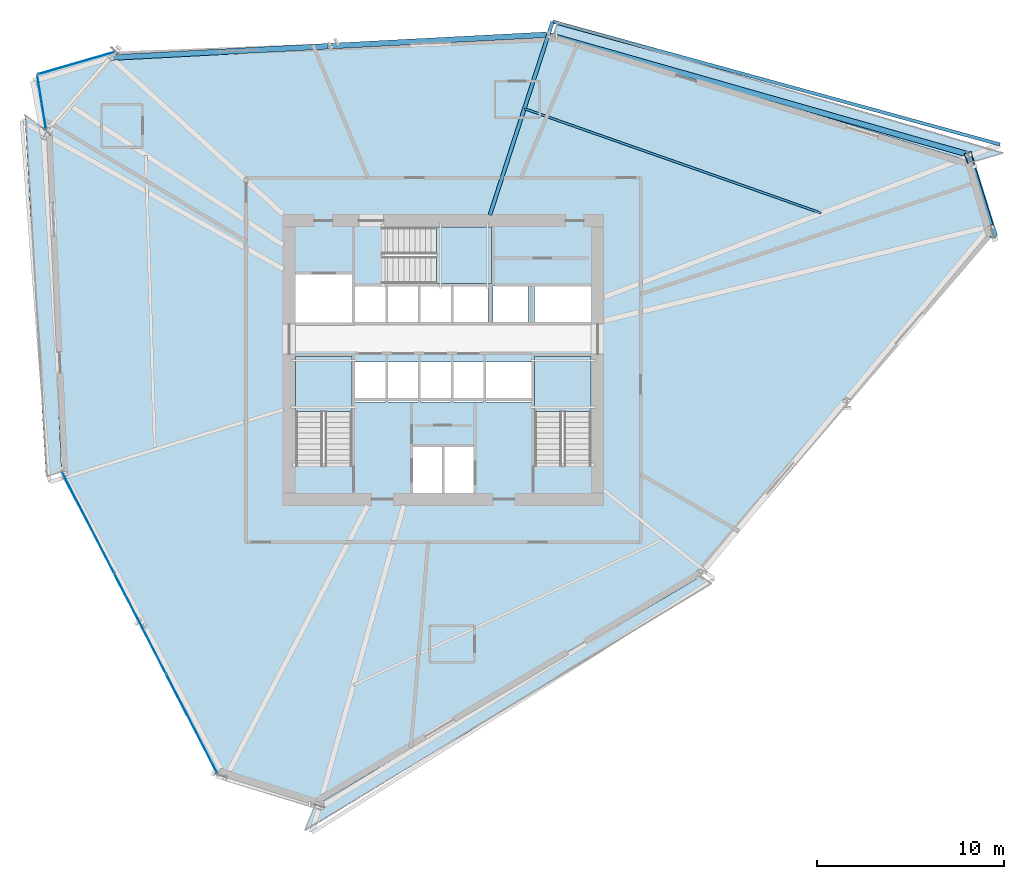
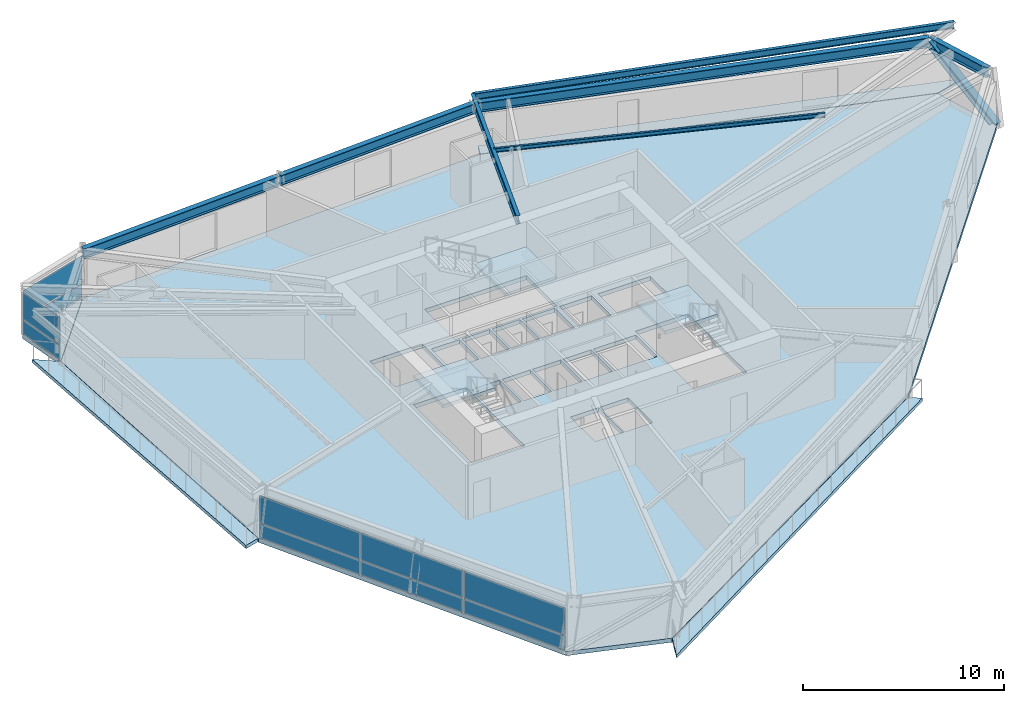
# One storey, part 8 of 19: 10 plates, 8 slabs, 7 beams, 1 member, 6 elements without a shape of their own.
"""IFC4 building model written with IfcOpenShell, lengths in metres."""

from ifc_helpers import new_model, si_unit, direction, frame, origin, origin_2d, place, context, subcontext, project, spatial, polyline, rectangle, i_section, outline, extrude, source, transform, mapped, material, layer, layer_set, material_profile, profile_set, type_object, element, aggregate, save


model = new_model("IFC4")

# Units and contexts
model_context = context("Model", 3, precision=1e-05, world=origin(), true_north=direction((0.0, 1.0)))
body_context = subcontext(model_context, "Body", "Model", "MODEL_VIEW")
ifc_project = project(units=[si_unit("LENGTHUNIT", "METRE"), si_unit("AREAUNIT", "SQUARE_METRE"), si_unit("VOLUMEUNIT", "CUBIC_METRE"), si_unit("PLANEANGLEUNIT", "RADIAN"), si_unit("MASSUNIT", "GRAM", prefix="KILO")], contexts=[model_context])

# Site, building, storey
site_placement = place(None, origin())
site = spatial("IfcSite", under=ifc_project, at=site_placement, CompositionType="ELEMENT")
building_placement = place(site_placement, origin())
building = spatial("IfcBuilding", under=site, at=building_placement, Name="Olszyna Solenne Hotel", CompositionType="ELEMENT")
storey_placement = place(building_placement, frame((0.0, 0.0, 102.14990234375)))
storey = spatial("IfcBuildingStorey", under=building, at=storey_placement, Name="L26", CompositionType="ELEMENT", Elevation=102.14990234375)

# Beams
ifc_material_1 = material(Name="Steel S355J2", Category="steel")
ifc_material_profile_1 = material_profile(ifc_material_1, i_section(OverallWidth=0.300048828125, OverallDepth=0.60009765625, WebThickness=0.015380859375, FlangeThickness=0.030029296875, at=origin_2d()), Name="HEB 600", Category="load-bearing")
ifc_profile_set_1 = profile_set([ifc_material_profile_1], Name="Steel S355J2")
beam_type_1 = type_object("IfcBeamType", Name="BM-S2", PredefinedType="BEAM", material=ifc_profile_set_1)
shared_shape_1 = source(origin(), body_context, "Body", "SweptSolid", [
    extrude(i_section(OverallWidth=0.300048828125, OverallDepth=0.60009765625, WebThickness=0.015380859375, FlangeThickness=0.030029296875, at=origin_2d()), origin(), (0.0, 0.0, 1.0), 3.8984375),
])
beam_1_placement = place(storey_placement, frame((67.237548828125, 33.80908203125, 3.0), z_axis=(-0.296584362615, 0.955006657491, 0.0), x_axis=(-0.955006657491, -0.296584362615, 0.0)))
element("IfcBeam", 1, at=beam_1_placement, inside=storey, type_object=beam_type_1, Name="Perimeter spandrel beam BM-S2 B-L26-0780", PredefinedType="BEAM", context=body_context, shape_type="MappedRepresentation", body=[
    mapped(shared_shape_1, transform((0.0, 0.0, 0.0), x_axis=(1.0, 0.0, 0.0), y_axis=(0.0, 1.0, 0.0), z_axis=(0.0, 0.0, 1.0), scale=1.0)),
])
shared_shape_2 = source(origin(), body_context, "Body", "SweptSolid", [
    extrude(i_section(OverallWidth=0.300048828125, OverallDepth=0.60009765625, WebThickness=0.015380859375, FlangeThickness=0.030029296875, at=origin_2d()), origin(), (0.0, 0.0, 1.0), 23.2646484375),
])
beam_2_placement = place(storey_placement, frame((66.005859375, 37.60595703125, 3.0), z_axis=(-0.961735917266, 0.273978147742, 0.0), x_axis=(-0.273978147742, -0.961735917266, 0.0)))
element("IfcBeam", 2, at=beam_2_placement, inside=storey, type_object=beam_type_1, Name="Perimeter spandrel beam BM-S2 B-L26-0781", PredefinedType="BEAM", context=body_context, shape_type="MappedRepresentation", body=[
    mapped(shared_shape_2, transform((0.0, 0.0, 0.0), x_axis=(1.0, 0.0, 0.0), y_axis=(0.0, 1.0, 0.0), z_axis=(0.0, 0.0, 1.0), scale=1.0)),
])
shared_shape_3 = source(origin(), body_context, "Body", "SweptSolid", [
    extrude(i_section(OverallWidth=0.300048828125, OverallDepth=0.60009765625, WebThickness=0.015380859375, FlangeThickness=0.030029296875, at=origin_2d()), origin(), (0.0, 0.0, 1.0), 11.572265625),
])
for number, where, z_axis, x_axis, name in (
    (3, (43.513671875, 43.993408203125, 3.0), (-0.998621498455, -0.052489073374, 0.0), (0.052489073374, -0.998621498455, 0.0), "Perimeter spandrel beam BM-S2 B-L26-0782"),
    (4, (31.83740234375, 43.379638671875, 3.0), (-0.998621498455, -0.052489073374, 0.0), (0.052489073374, -0.998621498455, 0.0), "Perimeter spandrel beam BM-S2 B-L26-0783"),
):
    element("IfcBeam", number, at=place(storey_placement, frame(where, z_axis=z_axis, x_axis=x_axis)), inside=storey, type_object=beam_type_1, Name=name, PredefinedType="BEAM", context=body_context, shape_type="MappedRepresentation", body=[
        mapped(shared_shape_3, transform((0.0, 0.0, 0.0), x_axis=(1.0, 0.0, 0.0), y_axis=(0.0, 1.0, 0.0), z_axis=(0.0, 0.0, 1.0), scale=1.0)),
    ])
ifc_material_profile_2 = material_profile(ifc_material_1, i_section(OverallWidth=0.199951171875, OverallDepth=0.5, WebThickness=0.01025390625, FlangeThickness=0.01611328125, at=origin_2d()), Name="IPE 500", Category="load-bearing")
ifc_profile_set_2 = profile_set([ifc_material_profile_2], Name="Steel S355J2")
beam_type_2 = type_object("IfcBeamType", Name="BM-F3", PredefinedType="BEAM", material=ifc_profile_set_2)
shared_shape_4 = source(origin(), body_context, "Body", "SweptSolid", [
    extrude(i_section(OverallWidth=0.199951171875, OverallDepth=0.5, WebThickness=0.01025390625, FlangeThickness=0.01611328125, at=origin_2d()), origin(), (0.0, 0.0, 1.0), 10.852783203125),
])
beam_3_placement = place(storey_placement, frame((43.831787109375, 44.67578125, 3.050048828125), z_axis=(-0.308483243058, -0.951229777053, 0.0), x_axis=(0.951229777053, -0.308483243058, 0.0)))
element("IfcBeam", 5, at=beam_3_placement, inside=storey, type_object=beam_type_2, Name="Radial floor girder BM-F3 B-L26-0794", PredefinedType="BEAM", context=body_context, shape_type="MappedRepresentation", body=[
    mapped(shared_shape_4, transform((0.0, 0.0, 0.0), x_axis=(1.0, 0.0, 0.0), y_axis=(0.0, 1.0, 0.0), z_axis=(0.0, 0.0, 1.0), scale=1.0)),
])
ifc_material_profile_3 = material_profile(ifc_material_1, i_section(OverallWidth=0.1201171875, OverallDepth=0.239990234375, WebThickness=0.006103515625, FlangeThickness=0.009765625, at=origin_2d()), Name="IPE 240", Category="load-bearing")
ifc_profile_set_3 = profile_set([ifc_material_profile_3], Name="Steel S355J2")
beam_type_3 = type_object("IfcBeamType", Name="JS-03", PredefinedType="JOIST", material=ifc_profile_set_3)
shared_shape_5 = source(origin(), body_context, "Body", "SweptSolid", [
    extrude(i_section(OverallWidth=0.1201171875, OverallDepth=0.239990234375, WebThickness=0.006103515625, FlangeThickness=0.009765625, at=origin_2d()), origin(), (0.0, 0.0, 1.0), 16.8056640625),
])
beam_4_placement = place(storey_placement, frame((58.19921875, 34.452880859375, 3.18017578125), z_axis=(-0.943241364263, 0.332108007646, 0.0), x_axis=(-0.332108007646, -0.943241364263, 0.0)))
element("IfcBeam", 6, at=beam_4_placement, inside=storey, type_object=beam_type_3, Name="Secondary composite floor joist JS-03 B-L26-0804", PredefinedType="JOIST", context=body_context, shape_type="MappedRepresentation", body=[
    mapped(shared_shape_5, transform((0.0, 0.0, 0.0), x_axis=(1.0, 0.0, 0.0), y_axis=(0.0, 1.0, 0.0), z_axis=(0.0, 0.0, 1.0), scale=1.0)),
])
ifc_material_profile_4 = material_profile(ifc_material_1, i_section(OverallWidth=0.179931640625, OverallDepth=0.39990234375, WebThickness=0.008544921875, FlangeThickness=0.013427734375, at=origin_2d()), Name="IPE 400", Category="load-bearing")
ifc_profile_set_4 = profile_set([ifc_material_profile_4], Name="Steel S355J2")
beam_type_4 = type_object("IfcBeamType", Name="BM-F5", PredefinedType="BEAM", material=ifc_profile_set_4)
shared_shape_6 = source(origin(), body_context, "Body", "SweptSolid", [
    extrude(i_section(OverallWidth=0.179931640625, OverallDepth=0.39990234375, WebThickness=0.008544921875, FlangeThickness=0.013427734375, at=origin_2d()), origin(), (0.0, 0.0, 1.0), 24.8095703125),
])
beam_5_placement = place(storey_placement, frame((67.761962890625, 38.125732421875, 3.10009765625), z_axis=(-0.9643111726, 0.26477152868, 0.0), x_axis=(-0.26477152868, -0.9643111726, 0.0)))
element("IfcBeam", 7, at=beam_5_placement, inside=storey, type_object=beam_type_4, Name="Loggia outer edge beam BM-F5 B-L26-0807", PredefinedType="BEAM", context=body_context, shape_type="MappedRepresentation", body=[
    mapped(shared_shape_6, transform((0.0, 0.0, 0.0), x_axis=(1.0, 0.0, 0.0), y_axis=(0.0, 1.0, 0.0), z_axis=(0.0, 0.0, 1.0), scale=1.0)),
])

# Member
ifc_material_2 = material(Name="Steel S460M", Category="steel")
ifc_material_profile_5 = material_profile(ifc_material_2, i_section(OverallWidth=0.406005859375, OverallDepth=0.416015625, WebThickness=0.026611328125, FlangeThickness=0.04150390625, at=origin_2d()), Name="HD 400x382", Category="load-bearing")
ifc_profile_set_5 = profile_set([ifc_material_profile_5], Name="Steel S460M")
member_type = type_object("IfcMemberType", Name="BR-T2", PredefinedType="BRACE", material=ifc_profile_set_5)
shared_shape_7 = source(origin(), body_context, "Body", "SweptSolid", [
    extrude(i_section(OverallWidth=0.406005859375, OverallDepth=0.416015625, WebThickness=0.026611328125, FlangeThickness=0.04150390625, at=origin_2d()), origin(), (0.0, 0.0, 1.0), 5.394775390625),
])
member_placement = place(storey_placement, frame((67.411865234375, 33.285888671875, 0.010009765625), z_axis=(-0.249946469603, 0.797765049096, 0.548723690736), x_axis=(-0.954260104186, -0.298977680702, 0.0)))
element("IfcMember", 8, at=member_placement, inside=storey, type_object=member_type, Name="Perimeter braced-tube diagonal BR-T2 BR-L26-1", PredefinedType="BRACE", context=body_context, shape_type="MappedRepresentation", body=[
    mapped(shared_shape_7, transform((0.0, 0.0, 0.0), x_axis=(1.0, 0.0, 0.0), y_axis=(0.0, 1.0, 0.0), z_axis=(0.0, 0.0, 1.0), scale=1.0)),
])

# Stair, slab
ifc_material_3 = material(Name="Concrete C40/50", Category="concrete")
stair_type = type_object("IfcStairType", Name="STR-C1", PredefinedType="TWO_QUARTER_WINDING_STAIR", material=ifc_material_3)
stair_1_placement = place(storey_placement, origin())
stair_1 = element("IfcStair", 9, at=stair_1_placement, inside=storey, type_object=stair_type, Name="L26 ST1", PredefinedType="TWO_QUARTER_WINDING_STAIR")
ifc_layer_1 = layer(ifc_material_3, 0.18994140625, Name="Concrete C40/50")
ifc_layer_set_1 = layer_set([ifc_layer_1], Name="Concrete C40/50")
slab_type_1 = type_object("IfcSlabType", Name="SL-LN190", PredefinedType="LANDING", material=ifc_layer_set_1)
slab_1_placement = place(storey_placement, frame((0.0, 0.0, 1.5751953125)))
slab_1 = element("IfcSlab", 10, at=slab_1_placement, type_object=slab_type_1, Name="ST1 landing 1", PredefinedType="LANDING", context=body_context, shape_type="SweptSolid", body=[
    extrude(outline(polyline([(33.1201171875, 23.85009765625), (33.1201171875, 26.800048828125), (30.10009765625, 26.800048828125), (30.10009765625, 23.85009765625), (33.1201171875, 23.85009765625)])), origin(), (0.0, 0.0, 1.0), 0.199951171875),
])
aggregate(stair_1, [slab_1])

stair_2_placement = place(storey_placement, origin())
stair_2 = element("IfcStair", 11, at=stair_2_placement, inside=storey, type_object=stair_type, Name="L26 ST2", PredefinedType="TWO_QUARTER_WINDING_STAIR")
slab_2_placement = place(storey_placement, frame((0.0, 0.0, 1.5751953125)))
slab_2 = element("IfcSlab", 12, at=slab_2_placement, type_object=slab_type_1, Name="ST2 landing 1", PredefinedType="LANDING", context=body_context, shape_type="SweptSolid", body=[
    extrude(outline(polyline([(45.89990234375, 23.85009765625), (45.89990234375, 26.800048828125), (42.8798828125, 26.800048828125), (42.8798828125, 23.85009765625), (45.89990234375, 23.85009765625)])), origin(), (0.0, 0.0, 1.0), 0.199951171875),
])
aggregate(stair_2, [slab_2])

stair_3_placement = place(storey_placement, origin())
stair_3 = element("IfcStair", 13, at=stair_3_placement, inside=storey, type_object=stair_type, Name="L26 ST3", PredefinedType="TWO_QUARTER_WINDING_STAIR")
slab_3_placement = place(storey_placement, frame((0.0, 0.0, 1.5751953125)))
slab_3 = element("IfcSlab", 14, at=slab_3_placement, type_object=slab_type_1, Name="ST3 landing 1", PredefinedType="LANDING", context=body_context, shape_type="SweptSolid", body=[
    extrude(outline(polyline([(37.6298828125, 30.679931640625), (40.580078125, 30.679931640625), (40.580078125, 33.699951171875), (37.6298828125, 33.699951171875), (37.6298828125, 30.679931640625)])), origin(), (0.0, 0.0, 1.0), 0.199951171875),
])
aggregate(stair_3, [slab_3])

# Slabs
ifc_material_4 = material(Name="Precast concrete C45/55", Category="concrete")
ifc_layer_2 = layer(ifc_material_4, 0.199951171875, Name="Precast concrete C45/55")
ifc_layer_set_2 = layer_set([ifc_layer_2], Name="Precast concrete C45/55")
slab_type_2 = type_object("IfcSlabType", Name="SL-LOG200", PredefinedType="FLOOR", material=ifc_layer_set_2)
slab_4_placement = place(storey_placement, frame((0.0, 0.0, -0.199951171875)))
element("IfcSlab", 15, at=slab_4_placement, inside=storey, type_object=slab_type_2, Name="Exterior loggia balcony slab SL-L26-LG1", PredefinedType="FLOOR", context=body_context, shape_type="SweptSolid", body=[
    extrude(outline(polyline([(43.87158203125, 44.0048828125), (66.274169921875, 37.193115234375), (66.275390625, 37.1923828125), (66.27685546875, 37.19189453125), (66.278076171875, 37.19091796875), (66.279296875, 37.190185546875), (66.280517578125, 37.189208984375), (66.28125, 37.18798828125), (66.2822265625, 37.18701171875), (66.282958984375, 37.185546875), (66.28369140625, 37.18408203125), (66.2841796875, 37.182861328125), (67.976318359375, 37.68798828125), (44.1416015625, 44.68505859375), (43.87158203125, 44.0048828125)])), origin(), (0.0, 0.0, 1.0), 0.199951171875),
])
slab_5_placement = place(storey_placement, frame((0.0, 0.0, -0.199951171875)))
element("IfcSlab", 16, at=slab_5_placement, inside=storey, type_object=slab_type_2, Name="Exterior loggia balcony slab SL-L26-LG2", PredefinedType="FLOOR", context=body_context, shape_type="SweptSolid", body=[
    extrude(outline(polyline([(17.587890625, 20.625), (17.587890625, 20.62548828125), (17.587646484375, 20.626953125), (17.58740234375, 20.628662109375), (16.749267578125, 38.8515625), (16.746826171875, 38.8662109375), (15.608154296875, 39.7314453125), (16.7490234375, 20.37451171875), (17.587890625, 20.625)])), origin(), (0.0, 0.0, 1.0), 0.199951171875),
])
slab_6_placement = place(storey_placement, frame((0.0, 0.0, -0.199951171875)))
element("IfcSlab", 17, at=slab_6_placement, inside=storey, type_object=slab_type_2, Name="Exterior loggia balcony slab SL-L26-LG3", PredefinedType="FLOOR", context=body_context, shape_type="SweptSolid", body=[
    extrude(outline(polyline([(51.78515625, 15.047119140625), (51.78466796875, 15.04638671875), (51.783447265625, 15.04541015625), (51.7822265625, 15.044189453125), (51.781005859375, 15.04345703125), (31.1337890625, 2.772216796875), (31.132568359375, 2.771484375), (31.13134765625, 2.77099609375), (31.1298828125, 2.7705078125), (31.128662109375, 2.770263671875), (31.127197265625, 2.77001953125), (31.125732421875, 2.77001953125), (31.12451171875, 2.770263671875), (31.123046875, 2.7705078125), (31.12158203125, 2.770751953125), (31.12060546875, 2.77099609375), (30.57568359375, 1.397216796875), (52.35107421875, 14.6171875), (51.78515625, 15.047119140625)])), origin(), (0.0, 0.0, 1.0), 0.199951171875),
])
ifc_material_5 = material(Name="Concrete C50/60", Category="concrete")
ifc_layer_3 = layer(ifc_material_5, 0.25, Name="Concrete C50/60")
ifc_layer_set_3 = layer_set([ifc_layer_3], Name="Concrete C50/60")
slab_type_3 = type_object("IfcSlabType", Name="SL-TW250", PredefinedType="FLOOR", material=ifc_layer_set_3)
slab_7_placement = place(storey_placement, frame((0.0, 0.0, -0.25)))
element("IfcSlab", 18, at=slab_7_placement, inside=storey, type_object=slab_type_3, Name="Floor slab SL-TW250 SL-L26-01", PredefinedType="FLOOR", context=body_context, shape_type="SweptSolid", body=[
    extrude(outline(polyline([(67.411865234375, 33.285888671875), (66.269775390625, 37.1787109375), (43.8662109375, 43.990966796875), (20.46728515625, 43.083740234375), (16.76416015625, 38.85302734375), (17.602294921875, 20.62939453125), (25.960693359375, 4.413818359375), (31.126220703125, 2.78515625), (51.773193359375, 15.056396484375), (67.411865234375, 33.285888671875)]), holes=[polyline([(30.10009765625, 20.949951171875), (33.1201171875, 20.949951171875), (33.1201171875, 26.800048828125), (30.10009765625, 26.800048828125), (30.10009765625, 20.949951171875)]), polyline([(42.8798828125, 20.949951171875), (45.89990234375, 20.949951171875), (45.89990234375, 26.800048828125), (42.8798828125, 26.800048828125), (42.8798828125, 20.949951171875)]), polyline([(34.72998046875, 30.679931640625), (40.580078125, 30.679931640625), (40.580078125, 33.699951171875), (34.72998046875, 33.699951171875), (34.72998046875, 30.679931640625)]), polyline([(36.340087890625, 19.5), (37.9599609375, 19.5), (37.9599609375, 21.9599609375), (36.340087890625, 21.9599609375), (36.340087890625, 19.5)]), polyline([(38.0400390625, 19.5), (39.659912109375, 19.5), (39.659912109375, 21.9599609375), (38.0400390625, 21.9599609375), (38.0400390625, 19.5)]), polyline([(30.10009765625, 28.60009765625), (33.1201171875, 28.60009765625), (33.1201171875, 31.159912109375), (30.10009765625, 31.159912109375), (30.10009765625, 28.60009765625)]), polyline([(33.280029296875, 24.360107421875), (34.89990234375, 24.360107421875), (34.89990234375, 26.5), (33.280029296875, 26.5), (33.280029296875, 24.360107421875)]), polyline([(35.030029296875, 24.360107421875), (36.64990234375, 24.360107421875), (36.64990234375, 26.5), (35.030029296875, 26.5), (35.030029296875, 24.360107421875)]), polyline([(36.780029296875, 24.360107421875), (38.39990234375, 24.360107421875), (38.39990234375, 26.5), (36.780029296875, 26.5), (36.780029296875, 24.360107421875)]), polyline([(38.530029296875, 24.360107421875), (40.14990234375, 24.360107421875), (40.14990234375, 26.5), (38.530029296875, 26.5), (38.530029296875, 24.360107421875)]), polyline([(40.280029296875, 24.360107421875), (42.719970703125, 24.360107421875), (42.719970703125, 26.5), (40.280029296875, 26.5), (40.280029296875, 24.360107421875)]), polyline([(33.280029296875, 28.60009765625), (34.89990234375, 28.60009765625), (34.89990234375, 30.550048828125), (33.280029296875, 30.550048828125), (33.280029296875, 28.60009765625)]), polyline([(35.030029296875, 28.60009765625), (36.64990234375, 28.60009765625), (36.64990234375, 30.550048828125), (35.030029296875, 30.550048828125), (35.030029296875, 28.60009765625)]), polyline([(36.780029296875, 28.60009765625), (38.39990234375, 28.60009765625), (38.39990234375, 30.550048828125), (36.780029296875, 30.550048828125), (36.780029296875, 28.60009765625)]), polyline([(38.530029296875, 28.60009765625), (40.389892578125, 28.60009765625), (40.389892578125, 30.550048828125), (38.530029296875, 30.550048828125), (38.530029296875, 28.60009765625)]), polyline([(40.659912109375, 28.60009765625), (42.52001953125, 28.60009765625), (42.52001953125, 30.550048828125), (40.659912109375, 30.550048828125), (40.659912109375, 28.60009765625)]), polyline([(42.8798828125, 28.60009765625), (45.89990234375, 28.60009765625), (45.89990234375, 30.550048828125), (42.8798828125, 30.550048828125), (42.8798828125, 28.60009765625)])]), origin(), (0.0, 0.0, 1.0), 0.25),
])
slab_8_placement = place(storey_placement, frame((0.0, 0.0, -0.25)))
element("IfcSlab", 19, at=slab_8_placement, inside=storey, type_object=slab_type_3, Name="Faceted glass-prism floor slab SL-L26-PR", PredefinedType="FLOOR", context=body_context, shape_type="SweptSolid", body=[
    extrude(outline(polyline([(16.761962890625, 38.865966796875), (20.44970703125, 43.07861328125), (16.277099609375, 41.864501953125), (16.761962890625, 38.865966796875)])), origin(), (0.0, 0.0, 1.0), 0.25),
])

# Curtain wall, plates
ifc_material_6 = material(Name="Anodised bronze aluminium", Category="aluminium")
curtain_wall_type_1 = type_object("IfcCurtainWallType", Name="CW-SYS-3", PredefinedType="NOTDEFINED", material=ifc_material_6)
curtain_wall_1_placement = place(storey_placement, origin())
curtain_wall_1 = element("IfcCurtainWall", 20, at=curtain_wall_1_placement, inside=storey, type_object=curtain_wall_type_1, Name="Unitised curtain wall CW-SYS-3 CW-L26-01", PredefinedType="NOTDEFINED")
ifc_material_7 = material(Name="Terracotta cladding", Category="masonry")
plate_type_1 = type_object("IfcPlateType", Name="PN-SP1", PredefinedType="CURTAIN_PANEL", material=ifc_material_7)
shared_shape_8 = source(origin(), body_context, "Body", "SweptSolid", [
    extrude(rectangle(XDim=5.968505859375, YDim=0.035888671875, at=origin_2d()), origin(), (0.0, 0.0, 1.0), 0.83740234375),
])
plate_1_placement = place(storey_placement, frame((19.004150390625, 17.909912109375, 0.0751953125), z_axis=(0.0, 0.0, 1.0), x_axis=(0.458169234963, -0.888864979698, 0.0)))
plate_1 = element("IfcPlate", 21, at=plate_1_placement, type_object=plate_type_1, Name="Curtain-wall panel PN-SP1 CP-L26-01-01", PredefinedType="CURTAIN_PANEL", context=body_context, shape_type="MappedRepresentation", body=[
    mapped(shared_shape_8, transform((0.0, 0.0, 0.0), x_axis=(1.0, 0.0, 0.0), y_axis=(0.0, 1.0, 0.0), z_axis=(0.0, 0.0, 1.0), scale=1.0)),
])
plate_2_placement = place(storey_placement, frame((24.55908203125, 7.133056640625, 0.0751953125), z_axis=(0.0, 0.0, 1.0), x_axis=(0.458169234963, -0.888864979698, 0.0)))
plate_2 = element("IfcPlate", 22, at=plate_2_placement, type_object=plate_type_1, Name="Curtain-wall panel PN-SP1 CP-L26-01-05", PredefinedType="CURTAIN_PANEL", context=body_context, shape_type="MappedRepresentation", body=[
    mapped(shared_shape_8, transform((0.0, 0.0, 0.0), x_axis=(1.0, 0.0, 0.0), y_axis=(0.0, 1.0, 0.0), z_axis=(0.0, 0.0, 1.0), scale=1.0)),
])
ifc_material_8 = material(Name="Low-E triple glazing", Category="glass")
plate_type_2 = type_object("IfcPlateType", Name="PN-GL1", PredefinedType="CURTAIN_PANEL", material=ifc_material_8)
shared_shape_9 = source(origin(), body_context, "Body", "SweptSolid", [
    extrude(rectangle(XDim=5.968505859375, YDim=0.035888671875, at=origin_2d()), origin(), (0.0, 0.0, 1.0), 1.62939453125),
])
plate_3_placement = place(storey_placement, frame((19.004150390625, 17.909912109375, 0.987548828125), z_axis=(0.0, 0.0, 1.0), x_axis=(0.458169234963, -0.888864979698, 0.0)))
plate_3 = element("IfcPlate", 23, at=plate_3_placement, type_object=plate_type_2, Name="Curtain-wall panel PN-GL1 CP-L26-01-02", PredefinedType="CURTAIN_PANEL", context=body_context, shape_type="MappedRepresentation", body=[
    mapped(shared_shape_9, transform((0.0, 0.0, 0.0), x_axis=(1.0, 0.0, 0.0), y_axis=(0.0, 1.0, 0.0), z_axis=(0.0, 0.0, 1.0), scale=1.0)),
])
plate_4_placement = place(storey_placement, frame((24.55908203125, 7.133056640625, 0.987548828125), z_axis=(0.0, 0.0, 1.0), x_axis=(0.458169234963, -0.888864979698, 0.0)))
plate_4 = element("IfcPlate", 24, at=plate_4_placement, type_object=plate_type_2, Name="Curtain-wall panel PN-GL1 CP-L26-01-06", PredefinedType="CURTAIN_PANEL", context=body_context, shape_type="MappedRepresentation", body=[
    mapped(shared_shape_9, transform((0.0, 0.0, 0.0), x_axis=(1.0, 0.0, 0.0), y_axis=(0.0, 1.0, 0.0), z_axis=(0.0, 0.0, 1.0), scale=1.0)),
])
shared_shape_10 = source(origin(), body_context, "Body", "SweptSolid", [
    extrude(rectangle(XDim=6.006103515625, YDim=0.035888671875, at=origin_2d()), origin(), (0.0, 0.0, 1.0), 0.83740234375),
])
plate_5_placement = place(storey_placement, frame((21.781494140625, 12.521484375, 0.0751953125), z_axis=(0.0, 0.0, 1.0), x_axis=(0.458169234963, -0.888864979698, 0.0)))
plate_5 = element("IfcPlate", 25, at=plate_5_placement, type_object=plate_type_1, Name="Curtain-wall panel PN-SP1 CP-L26-01-03", PredefinedType="CURTAIN_PANEL", context=body_context, shape_type="MappedRepresentation", body=[
    mapped(shared_shape_10, transform((0.0, 0.0, 0.0), x_axis=(1.0, 0.0, 0.0), y_axis=(0.0, 1.0, 0.0), z_axis=(0.0, 0.0, 1.0), scale=1.0)),
])
shared_shape_11 = source(origin(), body_context, "Body", "SweptSolid", [
    extrude(rectangle(XDim=6.006103515625, YDim=0.035888671875, at=origin_2d()), origin(), (0.0, 0.0, 1.0), 1.62939453125),
])
plate_6_placement = place(storey_placement, frame((21.781494140625, 12.521484375, 0.987548828125), z_axis=(0.0, 0.0, 1.0), x_axis=(0.458169234963, -0.888864979698, 0.0)))
plate_6 = element("IfcPlate", 26, at=plate_6_placement, type_object=plate_type_2, Name="Curtain-wall panel PN-GL1 CP-L26-01-04", PredefinedType="CURTAIN_PANEL", context=body_context, shape_type="MappedRepresentation", body=[
    mapped(shared_shape_11, transform((0.0, 0.0, 0.0), x_axis=(1.0, 0.0, 0.0), y_axis=(0.0, 1.0, 0.0), z_axis=(0.0, 0.0, 1.0), scale=1.0)),
])
aggregate(curtain_wall_1, [plate_1, plate_3, plate_5, plate_6, plate_2, plate_4])

curtain_wall_type_2 = type_object("IfcCurtainWallType", Name="CW-SYS-5", PredefinedType="NOTDEFINED", material=ifc_material_6)
curtain_wall_2_placement = place(storey_placement, origin())
curtain_wall_2 = element("IfcCurtainWall", 27, at=curtain_wall_2_placement, inside=storey, type_object=curtain_wall_type_2, Name="Unitised curtain wall CW-SYS-5 CW-L26-02", PredefinedType="NOTDEFINED")
plate_type_3 = type_object("IfcPlateType", Name="PN-PR1", PredefinedType="CURTAIN_PANEL", material=ifc_material_8)
shared_shape_12 = source(origin(), body_context, "Body", "SweptSolid", [
    extrude(rectangle(XDim=2.900634765625, YDim=0.028076171875, at=origin_2d()), origin(), (0.0, 0.0, 1.0), 0.83740234375),
])
plate_7_placement = place(storey_placement, frame((16.5205078125, 40.35888671875, 0.0751953125), z_axis=(0.0, 0.0, 1.0), x_axis=(0.159639517987, -0.987175376667, 0.0)))
plate_7 = element("IfcPlate", 28, at=plate_7_placement, type_object=plate_type_3, Name="Curtain-wall panel PN-PR1 CP-L26-02-01", PredefinedType="CURTAIN_PANEL", context=body_context, shape_type="MappedRepresentation", body=[
    mapped(shared_shape_12, transform((0.0, 0.0, 0.0), x_axis=(1.0, 0.0, 0.0), y_axis=(0.0, 1.0, 0.0), z_axis=(0.0, 0.0, 1.0), scale=1.0)),
])
shared_shape_13 = source(origin(), body_context, "Body", "SweptSolid", [
    extrude(rectangle(XDim=2.900634765625, YDim=0.028076171875, at=origin_2d()), origin(), (0.0, 0.0, 1.0), 1.62939453125),
])
plate_8_placement = place(storey_placement, frame((16.5205078125, 40.35888671875, 0.987548828125), z_axis=(0.0, 0.0, 1.0), x_axis=(0.159639517987, -0.987175376667, 0.0)))
plate_8 = element("IfcPlate", 29, at=plate_8_placement, type_object=plate_type_3, Name="Curtain-wall panel PN-PR1 CP-L26-02-02", PredefinedType="CURTAIN_PANEL", context=body_context, shape_type="MappedRepresentation", body=[
    mapped(shared_shape_13, transform((0.0, 0.0, 0.0), x_axis=(1.0, 0.0, 0.0), y_axis=(0.0, 1.0, 0.0), z_axis=(0.0, 0.0, 1.0), scale=1.0)),
])
aggregate(curtain_wall_2, [plate_7, plate_8])

curtain_wall_3_placement = place(storey_placement, origin())
curtain_wall_3 = element("IfcCurtainWall", 30, at=curtain_wall_3_placement, inside=storey, type_object=curtain_wall_type_2, Name="Unitised curtain wall CW-SYS-5 CW-L26-03", PredefinedType="NOTDEFINED")
shared_shape_14 = source(origin(), body_context, "Body", "SweptSolid", [
    extrude(rectangle(XDim=4.214111328125, YDim=0.028076171875, at=origin_2d()), origin(), (0.0, 0.0, 1.0), 0.83740234375),
])
plate_9_placement = place(storey_placement, frame((18.372314453125, 42.47412109375, 0.0751953125), z_axis=(0.0, 0.0, 1.0), x_axis=(0.960182780358, 0.279372561832, 0.0)))
plate_9 = element("IfcPlate", 31, at=plate_9_placement, type_object=plate_type_3, Name="Curtain-wall panel PN-PR1 CP-L26-03-01", PredefinedType="CURTAIN_PANEL", context=body_context, shape_type="MappedRepresentation", body=[
    mapped(shared_shape_14, transform((0.0, 0.0, 0.0), x_axis=(1.0, 0.0, 0.0), y_axis=(0.0, 1.0, 0.0), z_axis=(0.0, 0.0, 1.0), scale=1.0)),
])
shared_shape_15 = source(origin(), body_context, "Body", "SweptSolid", [
    extrude(rectangle(XDim=4.214111328125, YDim=0.028076171875, at=origin_2d()), origin(), (0.0, 0.0, 1.0), 1.62939453125),
])
plate_10_placement = place(storey_placement, frame((18.372314453125, 42.47412109375, 0.987548828125), z_axis=(0.0, 0.0, 1.0), x_axis=(0.960182780358, 0.279372561832, 0.0)))
plate_10 = element("IfcPlate", 32, at=plate_10_placement, type_object=plate_type_3, Name="Curtain-wall panel PN-PR1 CP-L26-03-02", PredefinedType="CURTAIN_PANEL", context=body_context, shape_type="MappedRepresentation", body=[
    mapped(shared_shape_15, transform((0.0, 0.0, 0.0), x_axis=(1.0, 0.0, 0.0), y_axis=(0.0, 1.0, 0.0), z_axis=(0.0, 0.0, 1.0), scale=1.0)),
])
aggregate(curtain_wall_3, [plate_9, plate_10])

save(model, "model.ifc")
